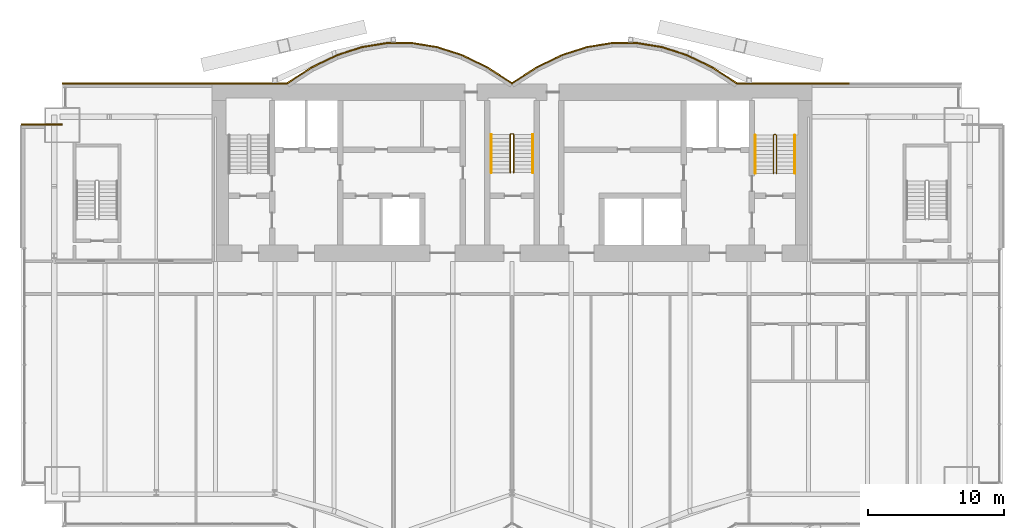
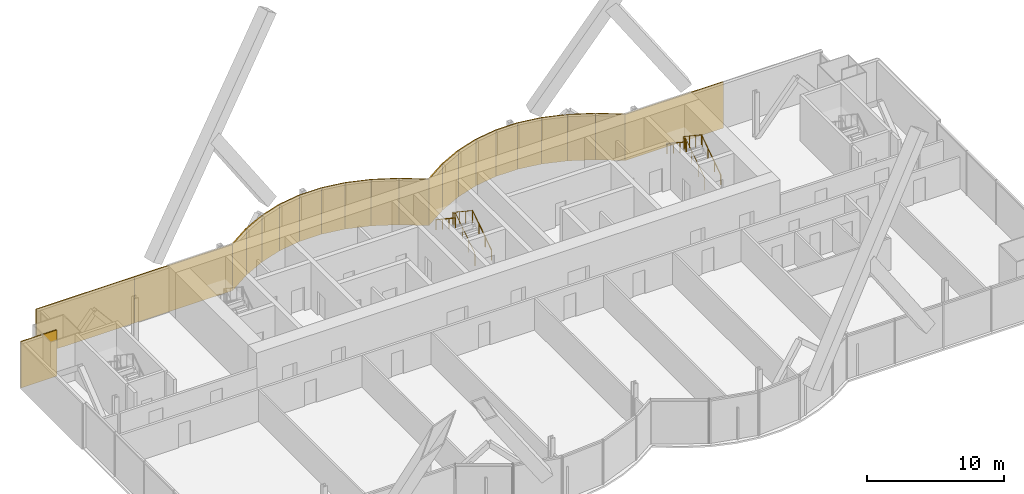
# One storey, part 21 of 22: 22 coverings, 6 railings.
"""IFC4 building model written with IfcOpenShell, lengths in metres."""

from ifc_helpers import new_model, si_unit, direction, frame, origin, origin_2d, place, context, subcontext, project, spatial, rectangle, circle, extrude, material, layer, layer_set, type_object, element, save


model = new_model("IFC4")

# Units and contexts
model_context = context("Model", 3, precision=1e-05, world=origin(), true_north=direction((0.0, 1.0)))
body_context = subcontext(model_context, "Body", "Model", "MODEL_VIEW")
ifc_project = project(units=[si_unit("LENGTHUNIT", "METRE"), si_unit("AREAUNIT", "SQUARE_METRE"), si_unit("VOLUMEUNIT", "CUBIC_METRE"), si_unit("PLANEANGLEUNIT", "RADIAN"), si_unit("MASSUNIT", "GRAM", prefix="KILO")], contexts=[model_context])

# Site, building, storey
site_placement = place(None, origin())
site = spatial("IfcSite", under=ifc_project, at=site_placement, CompositionType="ELEMENT")
building_placement = place(site_placement, origin())
building = spatial("IfcBuilding", under=site, at=building_placement, Name="Bicima Exchange Tower", CompositionType="ELEMENT")
storey_placement = place(building_placement, frame((0.0, 0.0, 203.199951171875)))
storey = spatial("IfcBuildingStorey", under=building, at=storey_placement, Name="L45", CompositionType="ELEMENT", Elevation=203.199951171875)

# Coverings
ifc_material_1 = material(Name="Bronze metal cladding")
ifc_layer_1 = layer(ifc_material_1, 0.004)
ifc_material_2 = material(Name="Ventilated cavity")
ifc_layer_2 = layer(ifc_material_2, 0.06)
ifc_material_3 = material(Name="Galvanised steel rail and mineral wool", Category="steel")
ifc_layer_3 = layer(ifc_material_3, 0.036)
ifc_layer_set = layer_set([ifc_layer_1, ifc_layer_2, ifc_layer_3], Name="Ventilated cavity")
covering_type = type_object("IfcCoveringType", Name="Bronze metal cladding panel 100", PredefinedType="CLADDING", material=ifc_layer_set)
covering_1_placement = place(storey_placement, frame((20.625, 0.050048828125, -0.14990234375), z_axis=(0.0, 0.0, 1.0), x_axis=(-1.0, 0.0, 0.0)))
element("IfcCovering", 1, at=covering_1_placement, inside=storey, type_object=covering_type, Name="Bronze cladding L45 1.2", PredefinedType="CLADDING", context=body_context, shape_type="SweptSolid", body=[
    extrude(rectangle(XDim=8.25, YDim=0.10009765625, at=origin_2d()), origin(), (0.0, 0.0, 1.0), 4.10009765625),
])
covering_2_placement = place(storey_placement, frame((15.610595703125, 0.634521484375, -0.14990234375), z_axis=(0.0, 0.0, 1.0), x_axis=(-0.839790466384, 0.542910648791, 0.0)))
element("IfcCovering", 2, at=covering_2_placement, inside=storey, type_object=covering_type, Name="Bronze cladding L45 2.1", PredefinedType="CLADDING", context=body_context, shape_type="SweptSolid", body=[
    extrude(rectangle(XDim=2.18310546875, YDim=0.10009765625, at=origin_2d()), origin(), (0.0, 0.0, 1.0), 4.10009765625),
])
covering_3_placement = place(storey_placement, frame((13.771728515625, 1.674560546875, -0.14990234375), z_axis=(0.0, 0.0, 1.0), x_axis=(-0.899818346812, 0.436264762204, 0.0)))
element("IfcCovering", 3, at=covering_3_placement, inside=storey, type_object=covering_type, Name="Bronze cladding L45 3.1", PredefinedType="CLADDING", context=body_context, shape_type="SweptSolid", body=[
    extrude(rectangle(XDim=2.03759765625, YDim=0.10009765625, at=origin_2d()), origin(), (0.0, 0.0, 1.0), 4.10009765625),
])
covering_4_placement = place(storey_placement, frame((11.931884765625, 2.41796875, -0.14990234375), z_axis=(0.0, 0.0, 1.0), x_axis=(-0.951524642381, 0.307572519808, 0.0)))
element("IfcCovering", 4, at=covering_4_placement, inside=storey, type_object=covering_type, Name="Bronze cladding L45 4.1", PredefinedType="CLADDING", context=body_context, shape_type="SweptSolid", body=[
    extrude(rectangle(XDim=1.9267578125, YDim=0.10009765625, at=origin_2d()), origin(), (0.0, 0.0, 1.0), 4.10009765625),
])
covering_5_placement = place(storey_placement, frame((10.09130859375, 2.8642578125, -0.14990234375), z_axis=(0.0, 0.0, 1.0), x_axis=(-0.987189786347, 0.159550386184, 0.0)))
element("IfcCovering", 5, at=covering_5_placement, inside=storey, type_object=covering_type, Name="Bronze cladding L45 5.1", PredefinedType="CLADDING", context=body_context, shape_type="SweptSolid", body=[
    extrude(rectangle(XDim=1.857177734375, YDim=0.10009765625, at=origin_2d()), origin(), (0.0, 0.0, 1.0), 4.10009765625),
])
covering_6_placement = place(storey_placement, frame((8.25, 3.012939453125, -0.14990234375), z_axis=(0.0, 0.0, 1.0), x_axis=(-1.0, 0.0, 0.0)))
element("IfcCovering", 6, at=covering_6_placement, inside=storey, type_object=covering_type, Name="Bronze cladding L45 6.1", PredefinedType="CLADDING", context=body_context, shape_type="SweptSolid", body=[
    extrude(rectangle(XDim=1.83349609375, YDim=0.10009765625, at=origin_2d()), origin(), (0.0, 0.0, 1.0), 4.10009765625),
])
covering_7_placement = place(storey_placement, frame((6.40869140625, 2.8642578125, -0.14990234375), z_axis=(0.0, 0.0, 1.0), x_axis=(-0.987189786347, -0.159550386184, 0.0)))
element("IfcCovering", 7, at=covering_7_placement, inside=storey, type_object=covering_type, Name="Bronze cladding L45 7.1", PredefinedType="CLADDING", context=body_context, shape_type="SweptSolid", body=[
    extrude(rectangle(XDim=1.857177734375, YDim=0.10009765625, at=origin_2d()), origin(), (0.0, 0.0, 1.0), 4.10009765625),
])
covering_8_placement = place(storey_placement, frame((4.568115234375, 2.41796875, -0.14990234375), z_axis=(0.0, 0.0, 1.0), x_axis=(-0.951524642381, -0.307572519808, 0.0)))
element("IfcCovering", 8, at=covering_8_placement, inside=storey, type_object=covering_type, Name="Bronze cladding L45 8.1", PredefinedType="CLADDING", context=body_context, shape_type="SweptSolid", body=[
    extrude(rectangle(XDim=1.9267578125, YDim=0.10009765625, at=origin_2d()), origin(), (0.0, 0.0, 1.0), 4.10009765625),
])
covering_9_placement = place(storey_placement, frame((2.728271484375, 1.674560546875, -0.14990234375), z_axis=(0.0, 0.0, 1.0), x_axis=(-0.899818346812, -0.436264762204, 0.0)))
element("IfcCovering", 9, at=covering_9_placement, inside=storey, type_object=covering_type, Name="Bronze cladding L45 9.1", PredefinedType="CLADDING", context=body_context, shape_type="SweptSolid", body=[
    extrude(rectangle(XDim=2.03759765625, YDim=0.10009765625, at=origin_2d()), origin(), (0.0, 0.0, 1.0), 4.10009765625),
])
for number, where, z_axis, x_axis, name in (
    (10, (0.889404296875, 0.634521484375, -0.14990234375), (0.0, 0.0, 1.0), (-0.839790466384, -0.542910648791, 0.0), "Bronze cladding L45 10.1"),
    (11, (-0.889404296875, 0.634521484375, -0.14990234375), (0.0, 0.0, 1.0), (-0.839790466384, 0.542910648791, 0.0), "Bronze cladding L45 11.1"),
):
    element("IfcCovering", number, at=place(storey_placement, frame(where, z_axis=z_axis, x_axis=x_axis)), inside=storey, type_object=covering_type, Name=name, PredefinedType="CLADDING", context=body_context, shape_type="SweptSolid", body=[
        extrude(rectangle(XDim=2.18310546875, YDim=0.10009765625, at=origin_2d()), origin(), (0.0, 0.0, 1.0), 4.10009765625),
    ])
covering_10_placement = place(storey_placement, frame((-2.728271484375, 1.674560546875, -0.14990234375), z_axis=(0.0, 0.0, 1.0), x_axis=(-0.899818346812, 0.436264762204, 0.0)))
element("IfcCovering", 12, at=covering_10_placement, inside=storey, type_object=covering_type, Name="Bronze cladding L45 12.1", PredefinedType="CLADDING", context=body_context, shape_type="SweptSolid", body=[
    extrude(rectangle(XDim=2.03759765625, YDim=0.10009765625, at=origin_2d()), origin(), (0.0, 0.0, 1.0), 4.10009765625),
])
covering_11_placement = place(storey_placement, frame((-4.568115234375, 2.41796875, -0.14990234375), z_axis=(0.0, 0.0, 1.0), x_axis=(-0.951524642381, 0.307572519808, 0.0)))
element("IfcCovering", 13, at=covering_11_placement, inside=storey, type_object=covering_type, Name="Bronze cladding L45 13.1", PredefinedType="CLADDING", context=body_context, shape_type="SweptSolid", body=[
    extrude(rectangle(XDim=1.9267578125, YDim=0.10009765625, at=origin_2d()), origin(), (0.0, 0.0, 1.0), 4.10009765625),
])
covering_12_placement = place(storey_placement, frame((-6.40869140625, 2.8642578125, -0.14990234375), z_axis=(0.0, 0.0, 1.0), x_axis=(-0.987189786347, 0.159550386184, 0.0)))
element("IfcCovering", 14, at=covering_12_placement, inside=storey, type_object=covering_type, Name="Bronze cladding L45 14.1", PredefinedType="CLADDING", context=body_context, shape_type="SweptSolid", body=[
    extrude(rectangle(XDim=1.857177734375, YDim=0.10009765625, at=origin_2d()), origin(), (0.0, 0.0, 1.0), 4.10009765625),
])
covering_13_placement = place(storey_placement, frame((-8.25, 3.012939453125, -0.14990234375), z_axis=(0.0, 0.0, 1.0), x_axis=(-1.0, 0.0, 0.0)))
element("IfcCovering", 15, at=covering_13_placement, inside=storey, type_object=covering_type, Name="Bronze cladding L45 15.1", PredefinedType="CLADDING", context=body_context, shape_type="SweptSolid", body=[
    extrude(rectangle(XDim=1.83349609375, YDim=0.10009765625, at=origin_2d()), origin(), (0.0, 0.0, 1.0), 4.10009765625),
])
covering_14_placement = place(storey_placement, frame((-10.09130859375, 2.8642578125, -0.14990234375), z_axis=(0.0, 0.0, 1.0), x_axis=(-0.987189786347, -0.159550386184, 0.0)))
element("IfcCovering", 16, at=covering_14_placement, inside=storey, type_object=covering_type, Name="Bronze cladding L45 16.1", PredefinedType="CLADDING", context=body_context, shape_type="SweptSolid", body=[
    extrude(rectangle(XDim=1.857177734375, YDim=0.10009765625, at=origin_2d()), origin(), (0.0, 0.0, 1.0), 4.10009765625),
])
covering_15_placement = place(storey_placement, frame((-11.931884765625, 2.41796875, -0.14990234375), z_axis=(0.0, 0.0, 1.0), x_axis=(-0.951524642381, -0.307572519808, 0.0)))
element("IfcCovering", 17, at=covering_15_placement, inside=storey, type_object=covering_type, Name="Bronze cladding L45 17.1", PredefinedType="CLADDING", context=body_context, shape_type="SweptSolid", body=[
    extrude(rectangle(XDim=1.9267578125, YDim=0.10009765625, at=origin_2d()), origin(), (0.0, 0.0, 1.0), 4.10009765625),
])
covering_16_placement = place(storey_placement, frame((-13.771728515625, 1.674560546875, -0.14990234375), z_axis=(0.0, 0.0, 1.0), x_axis=(-0.899818346812, -0.436264762204, 0.0)))
element("IfcCovering", 18, at=covering_16_placement, inside=storey, type_object=covering_type, Name="Bronze cladding L45 18.1", PredefinedType="CLADDING", context=body_context, shape_type="SweptSolid", body=[
    extrude(rectangle(XDim=2.03759765625, YDim=0.10009765625, at=origin_2d()), origin(), (0.0, 0.0, 1.0), 4.10009765625),
])
covering_17_placement = place(storey_placement, frame((-15.610595703125, 0.634521484375, -0.14990234375), z_axis=(0.0, 0.0, 1.0), x_axis=(-0.839790466384, -0.542910648791, 0.0)))
element("IfcCovering", 19, at=covering_17_placement, inside=storey, type_object=covering_type, Name="Bronze cladding L45 19.1", PredefinedType="CLADDING", context=body_context, shape_type="SweptSolid", body=[
    extrude(rectangle(XDim=2.18310546875, YDim=0.10009765625, at=origin_2d()), origin(), (0.0, 0.0, 1.0), 4.10009765625),
])
for number, where, z_axis, x_axis, name in (
    (20, (-20.625, 0.050048828125, -0.14990234375), (0.0, 0.0, 1.0), (-1.0, 0.0, 0.0), "Bronze cladding L45 20.1"),
    (21, (-28.875, 0.050048828125, -0.14990234375), (0.0, 0.0, 1.0), (-1.0, 0.0, 0.0), "Bronze cladding L45 20.2"),
):
    element("IfcCovering", number, at=place(storey_placement, frame(where, z_axis=z_axis, x_axis=x_axis)), inside=storey, type_object=covering_type, Name=name, PredefinedType="CLADDING", context=body_context, shape_type="SweptSolid", body=[
        extrude(rectangle(XDim=8.25, YDim=0.10009765625, at=origin_2d()), origin(), (0.0, 0.0, 1.0), 4.10009765625),
    ])
covering_18_placement = place(storey_placement, frame((-34.5, -2.949951171875, -0.14990234375), z_axis=(0.0, 0.0, 1.0), x_axis=(-1.0, 0.0, 0.0)))
element("IfcCovering", 22, at=covering_18_placement, inside=storey, type_object=covering_type, Name="Bronze cladding L45 22.1", PredefinedType="CLADDING", context=body_context, shape_type="SweptSolid", body=[
    extrude(rectangle(XDim=3.0, YDim=0.10009765625, at=origin_2d()), origin(), (0.0, 0.0, 1.0), 4.10009765625),
])

# Railings
ifc_material_4 = material(Name="Stainless steel", Category="steel")
railing_type_1 = type_object("IfcRailingType", Name="Stair guard 1100", PredefinedType="GUARDRAIL", material=ifc_material_4)
railing_1_placement = place(storey_placement, frame((0.125, -6.5, 0.1865234375)))
element("IfcRailing", 23, at=railing_1_placement, inside=storey, type_object=railing_type_1, Name="L45 ST-C stair guard 1", PredefinedType="GUARDRAIL", context=body_context, shape_type="SweptSolid", body=[
    extrude(circle(Radius=0.02392578125, at=origin_2d()), frame((0.0, 0.0, 1.076171875), z_axis=(0.0, 0.832485552168, 0.554046753832), x_axis=(-1.0, 0.0, 0.0)), (0.0, 0.0, 1.0), 3.363525390625),
    extrude(circle(Radius=0.02392578125, at=origin_2d()), frame((0.0, 2.800048828125, 2.939453125), z_axis=(-0.707106781187, 0.707106781187, 0.0), x_axis=(-0.707106781187, -0.707106781187, 0.0)), (0.0, 0.0, 1.0), 0.07080078125),
    extrude(circle(Radius=0.02392578125, at=origin_2d()), frame((-0.050048828125, 2.85009765625, 2.939453125), z_axis=(-1.0, 0.0, 0.0), x_axis=(0.0, -1.0, 0.0)), (0.0, 0.0, 1.0), 0.14990234375),
    extrude(circle(Radius=0.02392578125, at=origin_2d()), frame((-0.199951171875, 2.85009765625, 2.939453125), z_axis=(-0.251157038772, -0.251157038772, 0.934794246747), x_axis=(0.707106781187, -0.707106781187, 0.0)), (0.0, 0.0, 1.0), 0.19921875),
    extrude(circle(Radius=0.02392578125, at=origin_2d()), frame((-0.25, 2.800048828125, 3.1259765625), z_axis=(0.0, -0.832452072856, 0.554097055034), x_axis=(1.0, 0.0, 0.0)), (0.0, 0.0, 1.0), 3.363525390625),
    extrude(circle(Radius=0.02099609375, at=origin_2d()), origin(), (0.0, 0.0, 1.0), 1.052001953125),
    extrude(circle(Radius=0.02099609375, at=origin_2d()), frame((0.0, 0.933349609375, 0.62109375)), (0.0, 0.0, 1.0), 1.052001953125),
    extrude(circle(Radius=0.02099609375, at=origin_2d()), frame((0.0, 1.86669921875, 1.242431640625)), (0.0, 0.0, 1.0), 1.052001953125),
    extrude(circle(Radius=0.02099609375, at=origin_2d()), frame((0.0, 2.800048828125, 1.863525390625)), (0.0, 0.0, 1.0), 1.052001953125),
    extrude(circle(Radius=0.02099609375, at=origin_2d()), frame((-0.050048828125, 2.85009765625, 1.863525390625)), (0.0, 0.0, 1.0), 1.052001953125),
    extrude(circle(Radius=0.02099609375, at=origin_2d()), frame((-0.199951171875, 2.85009765625, 1.863525390625)), (0.0, 0.0, 1.0), 1.052001953125),
    extrude(circle(Radius=0.02099609375, at=origin_2d()), frame((-0.25, 2.800048828125, 2.0498046875)), (0.0, 0.0, 1.0), 1.052001953125),
    extrude(circle(Radius=0.02099609375, at=origin_2d()), frame((-0.25, 1.86669921875, 2.671142578125)), (0.0, 0.0, 1.0), 1.052001953125),
    extrude(circle(Radius=0.02099609375, at=origin_2d()), frame((-0.25, 0.933349609375, 3.292236328125)), (0.0, 0.0, 1.0), 1.052001953125),
    extrude(circle(Radius=0.02099609375, at=origin_2d()), frame((-0.25, 0.0, 3.91357421875)), (0.0, 0.0, 1.0), 1.052001953125),
])
railing_2_placement = place(storey_placement, frame((19.39990234375, -6.550048828125, 0.1865234375)))
element("IfcRailing", 24, at=railing_2_placement, inside=storey, type_object=railing_type_1, Name="L45 ST-E stair guard 1", PredefinedType="GUARDRAIL", context=body_context, shape_type="SweptSolid", body=[
    extrude(circle(Radius=0.02392578125, at=origin_2d()), frame((0.0, 0.0, 1.076171875), z_axis=(0.0, 0.832485552168, 0.554046753832), x_axis=(-1.0, 0.0, 0.0)), (0.0, 0.0, 1.0), 3.363525390625),
    extrude(circle(Radius=0.02392578125, at=origin_2d()), frame((0.0, 2.800048828125, 2.939453125), z_axis=(-0.705375805398, 0.708833529934, 0.0), x_axis=(-0.708833529934, -0.705375805398, 0.0)), (0.0, 0.0, 1.0), 0.070556640625),
    extrude(circle(Radius=0.02392578125, at=origin_2d()), frame((-0.0498046875, 2.85009765625, 2.939453125), z_axis=(-1.0, 0.0, 0.0), x_axis=(0.0, -1.0, 0.0)), (0.0, 0.0, 1.0), 0.10009765625),
    extrude(circle(Radius=0.02392578125, at=origin_2d()), frame((-0.14990234375, 2.85009765625, 2.939453125), z_axis=(-0.251157038772, -0.251157038772, 0.934794246747), x_axis=(0.707106781187, -0.707106781187, 0.0)), (0.0, 0.0, 1.0), 0.19921875),
    extrude(circle(Radius=0.02392578125, at=origin_2d()), frame((-0.199951171875, 2.800048828125, 3.1259765625), z_axis=(0.0, -0.832452072856, 0.554097055034), x_axis=(1.0, 0.0, 0.0)), (0.0, 0.0, 1.0), 3.363525390625),
    extrude(circle(Radius=0.02099609375, at=origin_2d()), origin(), (0.0, 0.0, 1.0), 1.052001953125),
    extrude(circle(Radius=0.02099609375, at=origin_2d()), frame((0.0, 0.933349609375, 0.62109375)), (0.0, 0.0, 1.0), 1.052001953125),
    extrude(circle(Radius=0.02099609375, at=origin_2d()), frame((0.0, 1.86669921875, 1.242431640625)), (0.0, 0.0, 1.0), 1.052001953125),
    extrude(circle(Radius=0.02099609375, at=origin_2d()), frame((0.0, 2.800048828125, 1.863525390625)), (0.0, 0.0, 1.0), 1.052001953125),
    extrude(circle(Radius=0.02099609375, at=origin_2d()), frame((-0.0498046875, 2.85009765625, 1.863525390625)), (0.0, 0.0, 1.0), 1.052001953125),
    extrude(circle(Radius=0.02099609375, at=origin_2d()), frame((-0.14990234375, 2.85009765625, 1.863525390625)), (0.0, 0.0, 1.0), 1.052001953125),
    extrude(circle(Radius=0.02099609375, at=origin_2d()), frame((-0.199951171875, 2.800048828125, 2.0498046875)), (0.0, 0.0, 1.0), 1.052001953125),
    extrude(circle(Radius=0.02099609375, at=origin_2d()), frame((-0.199951171875, 1.86669921875, 2.671142578125)), (0.0, 0.0, 1.0), 1.052001953125),
    extrude(circle(Radius=0.02099609375, at=origin_2d()), frame((-0.199951171875, 0.933349609375, 3.292236328125)), (0.0, 0.0, 1.0), 1.052001953125),
    extrude(circle(Radius=0.02099609375, at=origin_2d()), frame((-0.199951171875, 0.0, 3.91357421875)), (0.0, 0.0, 1.0), 1.052001953125),
])
railing_type_2 = type_object("IfcRailingType", Name="Stair handrail 900", PredefinedType="HANDRAIL", material=ifc_material_4)
railing_3_placement = place(storey_placement, frame((1.52490234375, -6.5, 0.1865234375)))
element("IfcRailing", 25, at=railing_3_placement, inside=storey, type_object=railing_type_2, Name="L45 ST-C stair handrail 1", PredefinedType="HANDRAIL", context=body_context, shape_type="SweptSolid", body=[
    extrude(circle(Radius=0.02392578125, at=origin_2d()), frame((0.0, 0.0, 0.8759765625), z_axis=(0.0, 0.832485552168, 0.554046753832), x_axis=(-1.0, 0.0, 0.0)), (0.0, 0.0, 1.0), 3.363525390625),
    extrude(circle(Radius=0.02099609375, at=origin_2d()), origin(), (0.0, 0.0, 1.0), 0.851806640625),
    extrude(circle(Radius=0.02099609375, at=origin_2d()), frame((0.0, 0.933349609375, 0.62109375)), (0.0, 0.0, 1.0), 0.851806640625),
    extrude(circle(Radius=0.02099609375, at=origin_2d()), frame((0.0, 1.86669921875, 1.242431640625)), (0.0, 0.0, 1.0), 0.851806640625),
    extrude(circle(Radius=0.02099609375, at=origin_2d()), frame((0.0, 2.800048828125, 1.863525390625)), (0.0, 0.0, 1.0), 0.851806640625),
])
railing_4_placement = place(storey_placement, frame((-1.52490234375, -3.699951171875, 2.27685546875)))
element("IfcRailing", 26, at=railing_4_placement, inside=storey, type_object=railing_type_2, Name="L45 ST-C stair handrail 2", PredefinedType="HANDRAIL", context=body_context, shape_type="SweptSolid", body=[
    extrude(circle(Radius=0.02392578125, at=origin_2d()), frame((0.0, 0.0, 0.8759765625), z_axis=(0.0, -0.832485552168, 0.554046753832), x_axis=(1.0, 0.0, 0.0)), (0.0, 0.0, 1.0), 3.363525390625),
    extrude(circle(Radius=0.02099609375, at=origin_2d()), origin(), (0.0, 0.0, 1.0), 0.851806640625),
    extrude(circle(Radius=0.02099609375, at=origin_2d()), frame((0.0, -0.933349609375, 0.62109375)), (0.0, 0.0, 1.0), 0.851806640625),
    extrude(circle(Radius=0.02099609375, at=origin_2d()), frame((0.0, -1.86669921875, 1.242431640625)), (0.0, 0.0, 1.0), 0.851806640625),
    extrude(circle(Radius=0.02099609375, at=origin_2d()), frame((0.0, -2.800048828125, 1.863525390625)), (0.0, 0.0, 1.0), 0.851806640625),
])
railing_5_placement = place(storey_placement, frame((20.75, -6.550048828125, 0.1865234375)))
element("IfcRailing", 27, at=railing_5_placement, inside=storey, type_object=railing_type_2, Name="L45 ST-E stair handrail 1", PredefinedType="HANDRAIL", context=body_context, shape_type="SweptSolid", body=[
    extrude(circle(Radius=0.02392578125, at=origin_2d()), frame((0.0, 0.0, 0.8759765625), z_axis=(0.0, 0.832485552168, 0.554046753832), x_axis=(-1.0, 0.0, 0.0)), (0.0, 0.0, 1.0), 3.363525390625),
    extrude(circle(Radius=0.02099609375, at=origin_2d()), origin(), (0.0, 0.0, 1.0), 0.851806640625),
    extrude(circle(Radius=0.02099609375, at=origin_2d()), frame((0.0, 0.933349609375, 0.62109375)), (0.0, 0.0, 1.0), 0.851806640625),
    extrude(circle(Radius=0.02099609375, at=origin_2d()), frame((0.0, 1.86669921875, 1.242431640625)), (0.0, 0.0, 1.0), 0.851806640625),
    extrude(circle(Radius=0.02099609375, at=origin_2d()), frame((0.0, 2.800048828125, 1.863525390625)), (0.0, 0.0, 1.0), 0.851806640625),
])
railing_6_placement = place(storey_placement, frame((17.85009765625, -3.75, 2.27685546875)))
element("IfcRailing", 28, at=railing_6_placement, inside=storey, type_object=railing_type_2, Name="L45 ST-E stair handrail 2", PredefinedType="HANDRAIL", context=body_context, shape_type="SweptSolid", body=[
    extrude(circle(Radius=0.02392578125, at=origin_2d()), frame((0.0, 0.0, 0.8759765625), z_axis=(0.0, -0.832485552168, 0.554046753832), x_axis=(1.0, 0.0, 0.0)), (0.0, 0.0, 1.0), 3.363525390625),
    extrude(circle(Radius=0.02099609375, at=origin_2d()), origin(), (0.0, 0.0, 1.0), 0.851806640625),
    extrude(circle(Radius=0.02099609375, at=origin_2d()), frame((0.0, -0.933349609375, 0.62109375)), (0.0, 0.0, 1.0), 0.851806640625),
    extrude(circle(Radius=0.02099609375, at=origin_2d()), frame((0.0, -1.86669921875, 1.242431640625)), (0.0, 0.0, 1.0), 0.851806640625),
    extrude(circle(Radius=0.02099609375, at=origin_2d()), frame((0.0, -2.800048828125, 1.863525390625)), (0.0, 0.0, 1.0), 0.851806640625),
])

save(model, "model.ifc")
